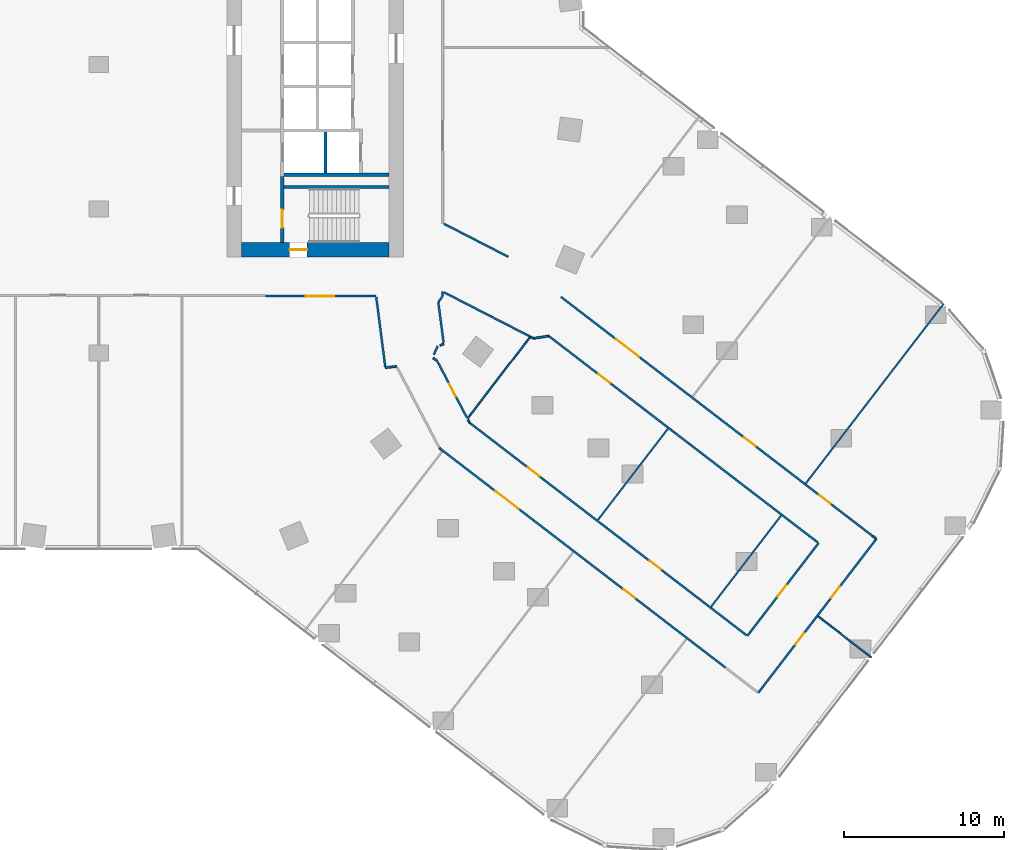
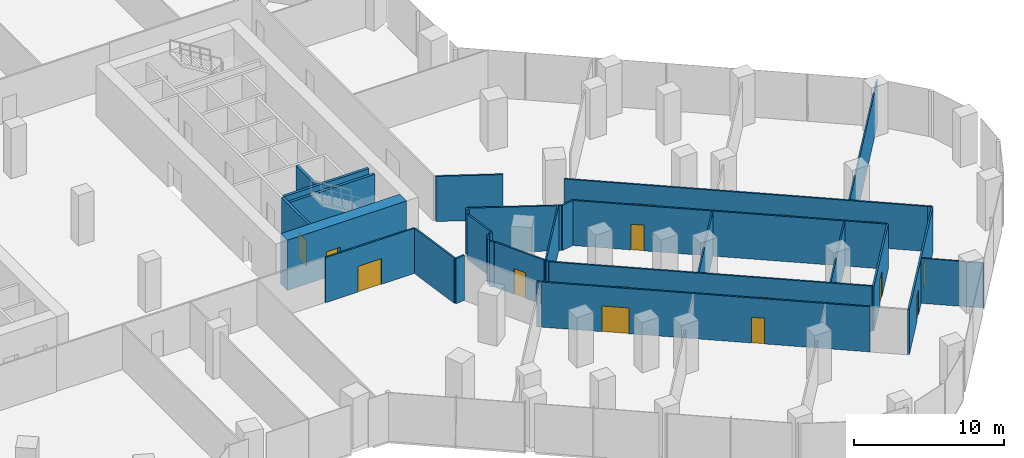
# One storey, part 25 of 29: 33 walls, 15 doors, 15 openings.
"""IFC4 building model written with IfcOpenShell, lengths in metres."""

from ifc_helpers import new_model, si_unit, direction, frame, frame_2d, origin, place, context, subcontext, project, spatial, rectangle, extrude, material, layer, layer_set, type_object, element, fill, save


model = new_model("IFC4")

# Units and contexts
model_context = context("Model", 3, precision=1e-05, world=origin(), true_north=direction((0.0, 1.0)))
body_context = subcontext(model_context, "Body", "Model", "MODEL_VIEW")
ifc_project = project(units=[si_unit("LENGTHUNIT", "METRE"), si_unit("AREAUNIT", "SQUARE_METRE"), si_unit("VOLUMEUNIT", "CUBIC_METRE"), si_unit("PLANEANGLEUNIT", "RADIAN"), si_unit("MASSUNIT", "GRAM", prefix="KILO")], contexts=[model_context])

# Site, building, storey
site_placement = place(None, origin())
site = spatial("IfcSite", under=ifc_project, at=site_placement, CompositionType="ELEMENT")
building_placement = place(site_placement, origin())
building = spatial("IfcBuilding", under=site, at=building_placement, Name="Orlundy Tower", CompositionType="ELEMENT")
storey_placement = place(building_placement, frame((0.0, 0.0, 25.10009765625)))
storey = spatial("IfcBuildingStorey", under=building, at=storey_placement, Name="L04", CompositionType="ELEMENT", Elevation=25.10009765625)

# Wall, opening, door
ifc_material_1 = material(Name="Concrete C80/95", Category="concrete")
ifc_layer_1 = layer(ifc_material_1, 0.89990234375)
ifc_layer_set_1 = layer_set([ifc_layer_1], Name="CORE WALL 900 C80/95")
wall_type_1 = type_object("IfcWallType", Name="CORE WALL 900 C80/95", PredefinedType="SHEAR", material=ifc_layer_set_1)
wall_1_placement = place(storey_placement, frame((8.89990234375, -11.550048828125, 0.0), z_axis=(0.0, 0.0, 1.0), x_axis=(1.0, 0.0, 0.0)))
wall_1 = element("IfcWall", 1, at=wall_1_placement, inside=storey, type_object=wall_type_1, Name="Core wall E-S L04", PredefinedType="SHEAR", context=body_context, shape_type="SweptSolid", body=[
    extrude(rectangle(XDim=9.2001953125, YDim=0.89990234375, at=frame_2d((4.60009765625, 0.0))), origin(), (0.0, 0.0, 1.0), 4.099853515625),
])
opening_1_placement = place(wall_1_placement, frame((3.0, 0.0, 0.0)))
opening_1 = element("IfcOpeningElement", 2, at=opening_1_placement, cuts=wall_1, Name="Opening 05061", PredefinedType="OPENING", context=body_context, shape_type="SweptSolid", body=[
    extrude(rectangle(XDim=1.10009765625, YDim=2.10009765625, at=frame_2d((0.550048828125, 1.050048828125))), frame((0.0, 0.4599609375, 0.0), z_axis=(0.0, -1.0, 0.0), x_axis=(1.0, 0.0, 0.0)), (0.0, 0.0, 1.0), 0.919921875),
])
ifc_material_2 = material(Name="Steel door set", Category="steel")
door_type_1 = type_object("IfcDoorType", Name="Stair Door 1100x2100", OperationType="SINGLE_SWING_LEFT", PredefinedType="DOOR", material=ifc_material_2)
door_1_placement = place(opening_1_placement, origin())
door_1 = element("IfcDoor", 3, at=door_1_placement, inside=storey, type_object=door_type_1, Name="Stair door 05061", OperationType="SINGLE_SWING_LEFT", OverallHeight=2.10009765625, OverallWidth=1.10009765625, PredefinedType="DOOR", context=body_context, shape_type="SweptSolid", body=[
    extrude(rectangle(XDim=1.10009765625, YDim=2.10009765625, at=frame_2d((0.550048828125, 1.050048828125))), frame((0.0, 0.02490234375, 0.0), z_axis=(0.0, -1.0, 0.0), x_axis=(1.0, 0.0, 0.0)), (0.0, 0.0, 1.0), 0.050048828125),
])
fill(opening_1, door_1)

# Walls
ifc_material_3 = material(Name="Gypsum board partition")
ifc_layer_2 = layer(ifc_material_3, 0.10009765625)
ifc_layer_set_2 = layer_set([ifc_layer_2], Name="Floor partition 100")
wall_type_2 = type_object("IfcWallType", Name="Floor partition 100", PredefinedType="PARTITIONING", material=ifc_layer_set_2)
wall_2_placement = place(storey_placement, frame((44.875, -34.43310546875, 0.0), z_axis=(0.0, 0.0, 1.0), x_axis=(0.793295570217, -0.60883670904, 0.0)))
element("IfcWall", 4, at=wall_2_placement, inside=storey, type_object=wall_type_2, Name="wall-int-L04-029", PredefinedType="PARTITIONING", context=body_context, shape_type="SweptSolid", body=[
    extrude(rectangle(XDim=4.186279296875, YDim=0.10009765625, at=frame_2d((2.09326171875, 0.0))), origin(), (0.0, 0.0, 1.0), 3.679931640625),
])
wall_3_placement = place(storey_placement, frame((38.197998046875, -33.8310546875, 0.0), z_axis=(0.0, 0.0, 1.0), x_axis=(0.60875801413, 0.793355960608, 0.0)))
element("IfcWall", 5, at=wall_3_placement, inside=storey, type_object=wall_type_2, Name="wall-int-L04-074", PredefinedType="PARTITIONING", context=body_context, shape_type="SweptSolid", body=[
    extrude(rectangle(XDim=7.173583984375, YDim=0.10009765625, at=frame_2d((3.5869140625, 0.0))), origin(), (0.0, 0.0, 1.0), 3.679931640625),
])
wall_4_placement = place(storey_placement, frame((44.10302734375, -26.135986328125, 0.0), z_axis=(0.0, 0.0, 1.0), x_axis=(0.608732079898, 0.793375859793, 0.0)))
element("IfcWall", 6, at=wall_4_placement, inside=storey, type_object=wall_type_2, Name="wall-int-L04-075", PredefinedType="PARTITIONING", context=body_context, shape_type="SweptSolid", body=[
    extrude(rectangle(XDim=14.135986328125, YDim=0.10009765625, at=frame_2d((7.06787109375, 0.0))), origin(), (0.0, 0.0, 1.0), 3.679931640625),
])
wall_5_placement = place(storey_placement, frame((31.136962890625, -28.4130859375, 0.0), z_axis=(0.0, 0.0, 1.0), x_axis=(0.608843688194, 0.793290213822, 0.0)))
element("IfcWall", 7, at=wall_5_placement, inside=storey, type_object=wall_type_2, Name="wall-int-L04-077", PredefinedType="PARTITIONING", context=body_context, shape_type="SweptSolid", body=[
    extrude(rectangle(XDim=7.174072265625, YDim=0.10009765625, at=frame_2d((3.5869140625, 0.0))), origin(), (0.0, 0.0, 1.0), 3.679931640625),
])
wall_6_placement = place(storey_placement, frame((22.9970703125, -22.092041015625, 0.0), z_axis=(0.0, 0.0, 1.0), x_axis=(0.608732859409, 0.793375261699, 0.0)))
element("IfcWall", 8, at=wall_6_placement, inside=storey, type_object=wall_type_2, Name="wall-int-L04-080", PredefinedType="PARTITIONING", context=body_context, shape_type="SweptSolid", body=[
    extrude(rectangle(XDim=6.44580078125, YDim=0.10009765625, at=frame_2d((3.222900390625, 0.0))), origin(), (0.0, 0.0, 1.0), 3.679931640625),
])
ifc_material_4 = material(Name="Gypsum board partition, double layer")
ifc_layer_3 = layer(ifc_material_4, 0.125)
ifc_layer_set_3 = layer_set([ifc_layer_3], Name="Floor partition 125")
wall_type_3 = type_object("IfcWallType", Name="Floor partition 125", PredefinedType="PARTITIONING", material=ifc_layer_set_3)
wall_7_placement = place(storey_placement, frame((17.31005859375, -14.512939453125, 0.0), z_axis=(0.0, 0.0, 1.0), x_axis=(0.127967803782, -0.991778322608, 0.0)))
element("IfcWall", 9, at=wall_7_placement, inside=storey, type_object=wall_type_3, Name="wall-int-L04-004", PredefinedType="PARTITIONING", context=body_context, shape_type="SweptSolid", body=[
    extrude(rectangle(XDim=4.38427734375, YDim=0.125, at=frame_2d((2.192138671875, 0.0))), origin(), (0.0, 0.0, 1.0), 3.679931640625),
])
wall_8_placement = place(storey_placement, frame((21.181884765625, -14.825927734375, 0.0), z_axis=(0.0, 0.0, 1.0), x_axis=(0.128335992274, -0.991730746265, 0.0)))
element("IfcWall", 10, at=wall_8_placement, inside=storey, type_object=wall_type_3, Name="wall-int-L04-005", PredefinedType="PARTITIONING", context=body_context, shape_type="SweptSolid", body=[
    extrude(rectangle(XDim=2.549072265625, YDim=0.125, at=frame_2d((1.2744140625, 0.0))), origin(), (0.0, 0.0, 1.0), 3.679931640625),
])
wall_9_placement = place(storey_placement, frame((23.035888671875, -22.1669921875, 0.0), z_axis=(0.0, 0.0, 1.0), x_axis=(0.465065214543, -0.885276423623, 0.0)))
element("IfcWall", 11, at=wall_9_placement, inside=storey, type_object=wall_type_3, Name="wall-int-L04-007", PredefinedType="PARTITIONING", context=body_context, shape_type="SweptSolid", body=[
    extrude(rectangle(XDim=0.206787109375, YDim=0.125, at=frame_2d((0.103515625, 0.0))), origin(), (0.0, 0.0, 1.0), 3.679931640625),
])

# Wall, opening, door
wall_10_placement = place(storey_placement, frame((21.139892578125, -18.552001953125, 0.0), z_axis=(0.0, 0.0, 1.0), x_axis=(0.464519693812, -0.885562789451, 0.0)))
wall_10 = element("IfcWall", 12, at=wall_10_placement, inside=storey, type_object=wall_type_3, Name="wall-int-L04-009", PredefinedType="PARTITIONING", context=body_context, shape_type="SweptSolid", body=[
    extrude(rectangle(XDim=3.9140625, YDim=0.125, at=frame_2d((1.95703125, 0.0))), origin(), (0.0, 0.0, 1.0), 3.679931640625),
])
opening_2_placement = place(wall_10_placement, frame((1.53759765625, 0.0, 0.0)))
opening_2 = element("IfcOpeningElement", 13, at=opening_2_placement, cuts=wall_10, Name="Opening 05128", PredefinedType="OPENING", context=body_context, shape_type="SweptSolid", body=[
    extrude(rectangle(XDim=0.89990234375, YDim=2.10009765625, at=frame_2d((0.449951171875, 1.050048828125))), frame((0.0, 0.072509765625, 0.0), z_axis=(0.0, -1.0, 0.0), x_axis=(1.0, 0.0, 0.0)), (0.0, 0.0, 1.0), 0.14501953125),
])
ifc_material_5 = material(Name="Timber door leaf", Category="wood")
door_type_2 = type_object("IfcDoorType", Name="Floor door single 900 FD30S", OperationType="NOTDEFINED", PredefinedType="DOOR", material=ifc_material_5)
door_2_placement = place(opening_2_placement, origin())
door_2 = element("IfcDoor", 14, at=door_2_placement, inside=storey, type_object=door_type_2, Name="Door 05128", OperationType="SINGLE_SWING_RIGHT", OverallHeight=2.10009765625, OverallWidth=0.89990234375, PredefinedType="DOOR", context=body_context, shape_type="SweptSolid", body=[
    extrude(rectangle(XDim=0.89990234375, YDim=2.10009765625, at=frame_2d((0.449951171875, 1.050048828125))), frame((0.0, 0.02490234375, 0.0), z_axis=(0.0, -1.0, 0.0), x_axis=(1.0, 0.0, 0.0)), (0.0, 0.0, 1.0), 0.050048828125),
])
fill(opening_2, door_2)

# Wall
wall_11_placement = place(storey_placement, frame((48.27001953125, -29.412109375, 0.0), z_axis=(0.0, 0.0, 1.0), x_axis=(0.793016893484, -0.609199644328, 0.0)))
element("IfcWall", 15, at=wall_11_placement, inside=storey, type_object=wall_type_3, Name="wall-int-L04-025", PredefinedType="PARTITIONING", context=body_context, shape_type="SweptSolid", body=[
    extrude(rectangle(XDim=0.300048828125, YDim=0.125, at=frame_2d((0.14990234375, 0.0))), origin(), (0.0, 0.0, 1.0), 3.679931640625),
])

# Wall, openings, doors
wall_12_placement = place(storey_placement, frame((39.090087890625, -37.6201171875, 0.0), z_axis=(0.0, 0.0, 1.0), x_axis=(-0.793364364442, 0.608747061786, 0.0)))
wall_12 = element("IfcWall", 16, at=wall_12_placement, inside=storey, type_object=wall_type_3, Name="wall-int-L04-026", PredefinedType="PARTITIONING", context=body_context, shape_type="SweptSolid", body=[
    extrude(rectangle(XDim=22.170166015625, YDim=0.125, at=frame_2d((11.0849609375, 0.0))), origin(), (0.0, 0.0, 1.0), 3.679931640625),
])
opening_3_placement = place(wall_12_placement, frame((16.26318359375, 0.0, 0.0)))
opening_3 = element("IfcOpeningElement", 17, at=opening_3_placement, cuts=wall_12, Name="Opening 05109", PredefinedType="OPENING", context=body_context, shape_type="SweptSolid", body=[
    extrude(rectangle(XDim=1.800048828125, YDim=2.10009765625, at=frame_2d((0.89990234375, 1.050048828125))), frame((0.0, 0.072509765625, 0.0), z_axis=(0.0, -1.0, 0.0), x_axis=(1.0, 0.0, 0.0)), (0.0, 0.0, 1.0), 0.14501953125),
])
opening_4_placement = place(wall_12_placement, frame((7.11279296875, 0.0, 0.0)))
opening_4 = element("IfcOpeningElement", 18, at=opening_4_placement, cuts=wall_12, Name="Opening 05110", PredefinedType="OPENING", context=body_context, shape_type="SweptSolid", body=[
    extrude(rectangle(XDim=0.89990234375, YDim=2.10009765625, at=frame_2d((0.449951171875, 1.050048828125))), frame((0.0, 0.072509765625, 0.0), z_axis=(0.0, -1.0, 0.0), x_axis=(1.0, 0.0, 0.0)), (0.0, 0.0, 1.0), 0.14501953125),
])
ifc_material_6 = material(Name="Timber door leaf", Category="wood")
door_type_3 = type_object("IfcDoorType", Name="Floor door double 1800 FD30S", OperationType="NOTDEFINED", PredefinedType="DOOR", material=ifc_material_6)
door_3_placement = place(opening_3_placement, origin())
door_3 = element("IfcDoor", 19, at=door_3_placement, inside=storey, type_object=door_type_3, Name="Door 05109", OperationType="DOUBLE_DOOR_SINGLE_SWING", OverallHeight=2.10009765625, OverallWidth=1.800048828125, PredefinedType="DOOR", context=body_context, shape_type="SweptSolid", body=[
    extrude(rectangle(XDim=1.800048828125, YDim=2.10009765625, at=frame_2d((0.89990234375, 1.050048828125))), frame((0.0, 0.02490234375, 0.0), z_axis=(0.0, -1.0, 0.0), x_axis=(1.0, 0.0, 0.0)), (0.0, 0.0, 1.0), 0.050048828125),
])
fill(opening_3, door_3)
door_4_placement = place(opening_4_placement, origin())
door_4 = element("IfcDoor", 20, at=door_4_placement, inside=storey, type_object=door_type_2, Name="Door 05110", OperationType="SINGLE_SWING_LEFT", OverallHeight=2.10009765625, OverallWidth=0.89990234375, PredefinedType="DOOR", context=body_context, shape_type="SweptSolid", body=[
    extrude(rectangle(XDim=0.89990234375, YDim=2.10009765625, at=frame_2d((0.449951171875, 1.050048828125))), frame((0.0, 0.02490234375, 0.0), z_axis=(0.0, -1.0, 0.0), x_axis=(1.0, 0.0, 0.0)), (0.0, 0.0, 1.0), 0.050048828125),
])
fill(opening_4, door_4)

wall_13_placement = place(storey_placement, frame((23.132080078125, -22.35009765625, 0.0), z_axis=(0.0, 0.0, 1.0), x_axis=(0.79336850047, -0.60874167137, 0.0)))
wall_13 = element("IfcWall", 21, at=wall_13_placement, inside=storey, type_object=wall_type_3, Name="wall-int-L04-028", PredefinedType="PARTITIONING", context=body_context, shape_type="SweptSolid", body=[
    extrude(rectangle(XDim=21.779052734375, YDim=0.125, at=frame_2d((10.8896484375, 0.0))), origin(), (0.0, 0.0, 1.0), 3.679931640625),
])
opening_5_placement = place(wall_13_placement, frame((4.60009765625, 0.0, 0.0)))
opening_5 = element("IfcOpeningElement", 22, at=opening_5_placement, cuts=wall_13, Name="Opening 05102", PredefinedType="OPENING", context=body_context, shape_type="SweptSolid", body=[
    extrude(rectangle(XDim=0.89990234375, YDim=2.10009765625, at=frame_2d((0.449951171875, 1.050048828125))), frame((0.0, 0.072509765625, 0.0), z_axis=(0.0, -1.0, 0.0), x_axis=(1.0, 0.0, 0.0)), (0.0, 0.0, 1.0), 0.14501953125),
])
opening_6_placement = place(wall_13_placement, frame((14.14208984375, 0.0, 0.0)))
opening_6 = element("IfcOpeningElement", 23, at=opening_6_placement, cuts=wall_13, Name="Opening 05104", PredefinedType="OPENING", context=body_context, shape_type="SweptSolid", body=[
    extrude(rectangle(XDim=0.89990234375, YDim=2.10009765625, at=frame_2d((0.449951171875, 1.050048828125))), frame((0.0, 0.072509765625, 0.0), z_axis=(0.0, -1.0, 0.0), x_axis=(1.0, 0.0, 0.0)), (0.0, 0.0, 1.0), 0.14501953125),
])
door_5_placement = place(opening_5_placement, origin())
door_5 = element("IfcDoor", 24, at=door_5_placement, inside=storey, type_object=door_type_2, Name="Door 05102", OperationType="SINGLE_SWING_LEFT", OverallHeight=2.10009765625, OverallWidth=0.89990234375, PredefinedType="DOOR", context=body_context, shape_type="SweptSolid", body=[
    extrude(rectangle(XDim=0.89990234375, YDim=2.10009765625, at=frame_2d((0.449951171875, 1.050048828125))), frame((0.0, 0.02490234375, 0.0), z_axis=(0.0, -1.0, 0.0), x_axis=(1.0, 0.0, 0.0)), (0.0, 0.0, 1.0), 0.050048828125),
])
fill(opening_5, door_5)
door_6_placement = place(opening_6_placement, origin())
door_6 = element("IfcDoor", 25, at=door_6_placement, inside=storey, type_object=door_type_2, Name="Door 05104", OperationType="SINGLE_SWING_RIGHT", OverallHeight=2.10009765625, OverallWidth=0.89990234375, PredefinedType="DOOR", context=body_context, shape_type="SweptSolid", body=[
    extrude(rectangle(XDim=0.89990234375, YDim=2.10009765625, at=frame_2d((0.449951171875, 1.050048828125))), frame((0.0, 0.02490234375, 0.0), z_axis=(0.0, -1.0, 0.0), x_axis=(1.0, 0.0, 0.0)), (0.0, 0.0, 1.0), 0.050048828125),
])
fill(opening_6, door_6)

# Wall, opening, door
wall_14_placement = place(storey_placement, frame((44.85498046875, -29.81689453125, 0.0), z_axis=(0.0, 0.0, 1.0), x_axis=(-0.793378264443, 0.608728945844, 0.0)))
wall_14 = element("IfcWall", 26, at=wall_14_placement, inside=storey, type_object=wall_type_3, Name="wall-int-L04-030", PredefinedType="PARTITIONING", context=body_context, shape_type="SweptSolid", body=[
    extrude(rectangle(XDim=21.16015625, YDim=0.125, at=frame_2d((10.580078125, 0.0))), origin(), (0.0, 0.0, 1.0), 3.679931640625),
])
opening_7_placement = place(wall_14_placement, frame((16.3369140625, 0.0, 0.0)))
opening_7 = element("IfcOpeningElement", 27, at=opening_7_placement, cuts=wall_14, Name="Opening 05103", PredefinedType="OPENING", context=body_context, shape_type="SweptSolid", body=[
    extrude(rectangle(XDim=0.89990234375, YDim=2.10009765625, at=frame_2d((0.449951171875, 1.050048828125))), frame((0.0, 0.072509765625, 0.0), z_axis=(0.0, -1.0, 0.0), x_axis=(1.0, 0.0, 0.0)), (0.0, 0.0, 1.0), 0.14501953125),
])
door_7_placement = place(opening_7_placement, origin())
door_7 = element("IfcDoor", 28, at=door_7_placement, inside=storey, type_object=door_type_2, Name="Door 05103", OperationType="SINGLE_SWING_RIGHT", OverallHeight=2.10009765625, OverallWidth=0.89990234375, PredefinedType="DOOR", context=body_context, shape_type="SweptSolid", body=[
    extrude(rectangle(XDim=0.89990234375, YDim=2.10009765625, at=frame_2d((0.449951171875, 1.050048828125))), frame((0.0, 0.02490234375, 0.0), z_axis=(0.0, -1.0, 0.0), x_axis=(1.0, 0.0, 0.0)), (0.0, 0.0, 1.0), 0.050048828125),
])
fill(opening_7, door_7)

# Wall, openings, doors
wall_15_placement = place(storey_placement, frame((28.826904296875, -14.492919921875, 0.0), z_axis=(0.0, 0.0, 1.0), x_axis=(0.793315591759, -0.608810620695, 0.0)))
wall_15 = element("IfcWall", 29, at=wall_15_placement, inside=storey, type_object=wall_type_3, Name="wall-int-L04-031", PredefinedType="PARTITIONING", context=body_context, shape_type="SweptSolid", body=[
    extrude(rectangle(XDim=24.5087890625, YDim=0.125, at=frame_2d((12.25439453125, 0.0))), origin(), (0.0, 0.0, 1.0), 3.679931640625),
])
opening_8_placement = place(wall_15_placement, frame((4.35009765625, 0.0, 0.0)))
opening_8 = element("IfcOpeningElement", 30, at=opening_8_placement, cuts=wall_15, Name="Opening 05100", PredefinedType="OPENING", context=body_context, shape_type="SweptSolid", body=[
    extrude(rectangle(XDim=1.800048828125, YDim=2.10009765625, at=frame_2d((0.89990234375, 1.050048828125))), frame((0.0, 0.072509765625, 0.0), z_axis=(0.0, -1.0, 0.0), x_axis=(1.0, 0.0, 0.0)), (0.0, 0.0, 1.0), 0.14501953125),
])
opening_9_placement = place(wall_15_placement, frame((14.4072265625, 0.0, 0.0)))
opening_9 = element("IfcOpeningElement", 31, at=opening_9_placement, cuts=wall_15, Name="Opening 05101", PredefinedType="OPENING", context=body_context, shape_type="SweptSolid", body=[
    extrude(rectangle(XDim=0.89990234375, YDim=2.10009765625, at=frame_2d((0.449951171875, 1.050048828125))), frame((0.0, 0.072509765625, 0.0), z_axis=(0.0, -1.0, 0.0), x_axis=(1.0, 0.0, 0.0)), (0.0, 0.0, 1.0), 0.14501953125),
])
opening_10_placement = place(wall_15_placement, frame((20.307373046875, 0.0, 0.0)))
opening_10 = element("IfcOpeningElement", 32, at=opening_10_placement, cuts=wall_15, Name="Opening 05107", PredefinedType="OPENING", context=body_context, shape_type="SweptSolid", body=[
    extrude(rectangle(XDim=0.89990234375, YDim=2.10009765625, at=frame_2d((0.449951171875, 1.050048828125))), frame((0.0, 0.072509765625, 0.0), z_axis=(0.0, -1.0, 0.0), x_axis=(1.0, 0.0, 0.0)), (0.0, 0.0, 1.0), 0.14501953125),
])
door_8_placement = place(opening_8_placement, origin())
door_8 = element("IfcDoor", 33, at=door_8_placement, inside=storey, type_object=door_type_3, Name="Door 05100", OperationType="DOUBLE_DOOR_SINGLE_SWING", OverallHeight=2.10009765625, OverallWidth=1.800048828125, PredefinedType="DOOR", context=body_context, shape_type="SweptSolid", body=[
    extrude(rectangle(XDim=1.800048828125, YDim=2.10009765625, at=frame_2d((0.89990234375, 1.050048828125))), frame((0.0, 0.02490234375, 0.0), z_axis=(0.0, -1.0, 0.0), x_axis=(1.0, 0.0, 0.0)), (0.0, 0.0, 1.0), 0.050048828125),
])
fill(opening_8, door_8)
door_9_placement = place(opening_9_placement, origin())
door_9 = element("IfcDoor", 34, at=door_9_placement, inside=storey, type_object=door_type_2, Name="Door 05101", OperationType="SINGLE_SWING_RIGHT", OverallHeight=2.10009765625, OverallWidth=0.89990234375, PredefinedType="DOOR", context=body_context, shape_type="SweptSolid", body=[
    extrude(rectangle(XDim=0.89990234375, YDim=2.10009765625, at=frame_2d((0.449951171875, 1.050048828125))), frame((0.0, 0.02490234375, 0.0), z_axis=(0.0, -1.0, 0.0), x_axis=(1.0, 0.0, 0.0)), (0.0, 0.0, 1.0), 0.050048828125),
])
fill(opening_9, door_9)
door_10_placement = place(opening_10_placement, origin())
door_10 = element("IfcDoor", 35, at=door_10_placement, inside=storey, type_object=door_type_2, Name="Door 05107", OperationType="SINGLE_SWING_RIGHT", OverallHeight=2.10009765625, OverallWidth=0.89990234375, PredefinedType="DOOR", context=body_context, shape_type="SweptSolid", body=[
    extrude(rectangle(XDim=0.89990234375, YDim=2.10009765625, at=frame_2d((0.449951171875, 1.050048828125))), frame((0.0, 0.02490234375, 0.0), z_axis=(0.0, -1.0, 0.0), x_axis=(1.0, 0.0, 0.0)), (0.0, 0.0, 1.0), 0.050048828125),
])
fill(opening_10, door_10)

# Walls
wall_16_placement = place(storey_placement, frame((21.2509765625, -23.93310546875, 0.0), z_axis=(0.0, 0.0, 1.0), x_axis=(0.795537882178, -0.605903852124, 0.0)))
element("IfcWall", 36, at=wall_16_placement, inside=storey, type_object=wall_type_3, Name="wall-int-L04-032", PredefinedType="PARTITIONING", context=body_context, shape_type="SweptSolid", body=[
    extrude(rectangle(XDim=0.263916015625, YDim=0.125, at=frame_2d((0.1318359375, 0.0))), origin(), (0.0, 0.0, 1.0), 3.679931640625),
])
wall_17_placement = place(storey_placement, frame((20.85791015625, -18.305908203125, 0.0), z_axis=(0.0, 0.0, 1.0), x_axis=(0.798056474533, -0.602582661098, 0.0)))
element("IfcWall", 37, at=wall_17_placement, inside=storey, type_object=wall_type_3, Name="wall-int-L04-033", PredefinedType="PARTITIONING", context=body_context, shape_type="SweptSolid", body=[
    extrude(rectangle(XDim=0.317138671875, YDim=0.125, at=frame_2d((0.15869140625, 0.0))), origin(), (0.0, 0.0, 1.0), 3.679931640625),
])
wall_18_placement = place(storey_placement, frame((26.9208984375, -16.97802734375, 0.0), z_axis=(0.0, 0.0, 1.0), x_axis=(0.888809707019, -0.458276450093, 0.0)))
element("IfcWall", 38, at=wall_18_placement, inside=storey, type_object=wall_type_3, Name="wall-int-L04-034", PredefinedType="PARTITIONING", context=body_context, shape_type="SweptSolid", body=[
    extrude(rectangle(XDim=0.237548828125, YDim=0.125, at=frame_2d((0.11865234375, 0.0))), origin(), (0.0, 0.0, 1.0), 3.679931640625),
])
wall_19_placement = place(storey_placement, frame((21.541015625, -14.214111328125, 0.0), z_axis=(0.0, 0.0, 1.0), x_axis=(0.889437525622, -0.457056766732, 0.0)))
element("IfcWall", 39, at=wall_19_placement, inside=storey, type_object=wall_type_3, Name="wall-int-L04-035", PredefinedType="PARTITIONING", context=body_context, shape_type="SweptSolid", body=[
    extrude(rectangle(XDim=5.98583984375, YDim=0.125, at=frame_2d((2.992919921875, 0.0))), origin(), (0.0, 0.0, 1.0), 3.679931640625),
])
wall_20_placement = place(storey_placement, frame((21.541015625, -9.93994140625, 0.0), z_axis=(0.0, 0.0, 1.0), x_axis=(0.889443846495, -0.457044466033, 0.0)))
element("IfcWall", 40, at=wall_20_placement, inside=storey, type_object=wall_type_3, Name="wall-int-L04-036", PredefinedType="PARTITIONING", context=body_context, shape_type="SweptSolid", body=[
    extrude(rectangle(XDim=4.50732421875, YDim=0.125, at=frame_2d((2.253662109375, 0.0))), origin(), (0.0, 0.0, 1.0), 3.679931640625),
])

# Wall, opening, door
wall_21_placement = place(storey_placement, frame((17.302001953125, -14.450927734375, 0.0), z_axis=(0.0, 0.0, 1.0), x_axis=(-1.0, 0.0, 0.0)))
wall_21 = element("IfcWall", 41, at=wall_21_placement, inside=storey, type_object=wall_type_3, Name="wall-int-L04-039", PredefinedType="PARTITIONING", context=body_context, shape_type="SweptSolid", body=[
    extrude(rectangle(XDim=6.910888671875, YDim=0.125, at=frame_2d((3.45556640625, 0.0))), origin(), (0.0, 0.0, 1.0), 3.679931640625),
])
opening_11_placement = place(wall_21_placement, frame((2.60009765625, 0.0, 0.0)))
opening_11 = element("IfcOpeningElement", 42, at=opening_11_placement, cuts=wall_21, Name="Opening 05127", PredefinedType="OPENING", context=body_context, shape_type="SweptSolid", body=[
    extrude(rectangle(XDim=1.800048828125, YDim=2.10009765625, at=frame_2d((0.89990234375, 1.050048828125))), frame((0.0, 0.072509765625, 0.0), z_axis=(0.0, -1.0, 0.0), x_axis=(1.0, 0.0, 0.0)), (0.0, 0.0, 1.0), 0.14501953125),
])
door_11_placement = place(opening_11_placement, origin())
door_11 = element("IfcDoor", 43, at=door_11_placement, inside=storey, type_object=door_type_3, Name="Door 05127", OperationType="DOUBLE_DOOR_SINGLE_SWING", OverallHeight=2.10009765625, OverallWidth=1.800048828125, PredefinedType="DOOR", context=body_context, shape_type="SweptSolid", body=[
    extrude(rectangle(XDim=1.800048828125, YDim=2.10009765625, at=frame_2d((0.89990234375, 1.050048828125))), frame((0.0, 0.02490234375, 0.0), z_axis=(0.0, -1.0, 0.0), x_axis=(1.0, 0.0, 0.0)), (0.0, 0.0, 1.0), 0.050048828125),
])
fill(opening_11, door_11)

# Walls
wall_22_placement = place(storey_placement, frame((21.181884765625, -14.825927734375, 0.0), z_axis=(0.0, 0.0, 1.0), x_axis=(0.581538757464, 0.813518698966, 0.0)))
element("IfcWall", 44, at=wall_22_placement, inside=storey, type_object=wall_type_3, Name="wall-int-L04-040", PredefinedType="PARTITIONING", context=body_context, shape_type="SweptSolid", body=[
    extrude(rectangle(XDim=0.4609375, YDim=0.125, at=frame_2d((0.23046875, 0.0))), origin(), (0.0, 0.0, 1.0), 3.679931640625),
])
wall_23_placement = place(storey_placement, frame((17.8798828125, -18.91796875, 0.0), z_axis=(0.0, 0.0, 1.0), x_axis=(0.991880534709, 0.127173129494, 0.0)))
element("IfcWall", 45, at=wall_23_placement, inside=storey, type_object=wall_type_3, Name="wall-int-L04-051", PredefinedType="PARTITIONING", context=body_context, shape_type="SweptSolid", body=[
    extrude(rectangle(XDim=0.69873046875, YDim=0.125, at=frame_2d((0.349365234375, 0.0))), origin(), (0.0, 0.0, 1.0), 3.679931640625),
])
wall_24_placement = place(storey_placement, frame((21.281005859375, -17.51904296875, 0.0), z_axis=(0.0, 0.0, 1.0), x_axis=(0.939031864477, 0.343830128839, 0.0)))
element("IfcWall", 46, at=wall_24_placement, inside=storey, type_object=wall_type_3, Name="wall-int-L04-055", PredefinedType="PARTITIONING", context=body_context, shape_type="SweptSolid", body=[
    extrude(rectangle(XDim=0.25341796875, YDim=0.125, at=frame_2d((0.126708984375, 0.0))), origin(), (0.0, 0.0, 1.0), 3.679931640625),
])

# Wall, openings, doors
wall_25_placement = place(storey_placement, frame((48.508056640625, -29.594970703125, 0.0), z_axis=(0.0, 0.0, 1.0), x_axis=(-0.608738166201, -0.793371189929, 0.0)))
wall_25 = element("IfcWall", 47, at=wall_25_placement, inside=storey, type_object=wall_type_3, Name="wall-int-L04-071", PredefinedType="PARTITIONING", context=body_context, shape_type="SweptSolid", body=[
    extrude(rectangle(XDim=12.100341796875, YDim=0.125, at=frame_2d((6.05029296875, 0.0))), origin(), (0.0, 0.0, 1.0), 3.679931640625),
])
opening_12_placement = place(wall_25_placement, frame((7.400146484375, 0.0, 0.0)))
opening_12 = element("IfcOpeningElement", 48, at=opening_12_placement, cuts=wall_25, Name="Opening 05106", PredefinedType="OPENING", context=body_context, shape_type="SweptSolid", body=[
    extrude(rectangle(XDim=0.89990234375, YDim=2.10009765625, at=frame_2d((0.449951171875, 1.050048828125))), frame((0.0, 0.072509765625, 0.0), z_axis=(0.0, -1.0, 0.0), x_axis=(1.0, 0.0, 0.0)), (0.0, 0.0, 1.0), 0.14501953125),
])
opening_13_placement = place(wall_25_placement, frame((3.75, 0.0, 0.0)))
opening_13 = element("IfcOpeningElement", 49, at=opening_13_placement, cuts=wall_25, Name="Opening 05108", PredefinedType="OPENING", context=body_context, shape_type="SweptSolid", body=[
    extrude(rectangle(XDim=0.89990234375, YDim=2.10009765625, at=frame_2d((0.449951171875, 1.050048828125))), frame((0.0, 0.072509765625, 0.0), z_axis=(0.0, -1.0, 0.0), x_axis=(1.0, 0.0, 0.0)), (0.0, 0.0, 1.0), 0.14501953125),
])
door_12_placement = place(opening_12_placement, origin())
door_12 = element("IfcDoor", 50, at=door_12_placement, inside=storey, type_object=door_type_2, Name="Door 05106", OperationType="SINGLE_SWING_RIGHT", OverallHeight=2.10009765625, OverallWidth=0.89990234375, PredefinedType="DOOR", context=body_context, shape_type="SweptSolid", body=[
    extrude(rectangle(XDim=0.89990234375, YDim=2.10009765625, at=frame_2d((0.449951171875, 1.050048828125))), frame((0.0, 0.02490234375, 0.0), z_axis=(0.0, -1.0, 0.0), x_axis=(1.0, 0.0, 0.0)), (0.0, 0.0, 1.0), 0.050048828125),
])
fill(opening_12, door_12)
door_13_placement = place(opening_13_placement, origin())
door_13 = element("IfcDoor", 51, at=door_13_placement, inside=storey, type_object=door_type_2, Name="Door 05108", OperationType="SINGLE_SWING_LEFT", OverallHeight=2.10009765625, OverallWidth=0.89990234375, PredefinedType="DOOR", context=body_context, shape_type="SweptSolid", body=[
    extrude(rectangle(XDim=0.89990234375, YDim=2.10009765625, at=frame_2d((0.449951171875, 1.050048828125))), frame((0.0, 0.02490234375, 0.0), z_axis=(0.0, -1.0, 0.0), x_axis=(1.0, 0.0, 0.0)), (0.0, 0.0, 1.0), 0.050048828125),
])
fill(opening_13, door_13)

# Wall, opening, door
wall_26_placement = place(storey_placement, frame((40.4599609375, -35.64599609375, 0.0), z_axis=(0.0, 0.0, 1.0), x_axis=(0.608868228501, 0.793271378736, 0.0)))
wall_26 = element("IfcWall", 52, at=wall_26_placement, inside=storey, type_object=wall_type_3, Name="wall-int-L04-072", PredefinedType="PARTITIONING", context=body_context, shape_type="SweptSolid", body=[
    extrude(rectangle(XDim=7.298828125, YDim=0.125, at=frame_2d((3.6494140625, 0.0))), origin(), (0.0, 0.0, 1.0), 3.679931640625),
])
opening_14_placement = place(wall_26_placement, frame((3.10009765625, 0.0, 0.0)))
opening_14 = element("IfcOpeningElement", 53, at=opening_14_placement, cuts=wall_26, Name="Opening 05105", PredefinedType="OPENING", context=body_context, shape_type="SweptSolid", body=[
    extrude(rectangle(XDim=0.89990234375, YDim=2.10009765625, at=frame_2d((0.449951171875, 1.050048828125))), frame((0.0, 0.072509765625, 0.0), z_axis=(0.0, -1.0, 0.0), x_axis=(1.0, 0.0, 0.0)), (0.0, 0.0, 1.0), 0.14501953125),
])
door_14_placement = place(opening_14_placement, origin())
door_14 = element("IfcDoor", 54, at=door_14_placement, inside=storey, type_object=door_type_2, Name="Door 05105", OperationType="SINGLE_SWING_LEFT", OverallHeight=2.10009765625, OverallWidth=0.89990234375, PredefinedType="DOOR", context=body_context, shape_type="SweptSolid", body=[
    extrude(rectangle(XDim=0.89990234375, YDim=2.10009765625, at=frame_2d((0.449951171875, 1.050048828125))), frame((0.0, 0.02490234375, 0.0), z_axis=(0.0, -1.0, 0.0), x_axis=(1.0, 0.0, 0.0)), (0.0, 0.0, 1.0), 0.050048828125),
])
fill(opening_14, door_14)

# Walls
wall_27_placement = place(storey_placement, frame((27.132080078125, -17.0869140625, 0.0), z_axis=(0.0, 0.0, 1.0), x_axis=(0.987224118301, 0.159337817997, 0.0)))
element("IfcWall", 55, at=wall_27_placement, inside=storey, type_object=wall_type_3, Name="wall-int-L04-082", PredefinedType="PARTITIONING", context=body_context, shape_type="SweptSolid", body=[
    extrude(rectangle(XDim=0.947021484375, YDim=0.125, at=frame_2d((0.4736328125, 0.0))), origin(), (0.0, 0.0, 1.0), 3.679931640625),
])
wall_28_placement = place(storey_placement, frame((20.89892578125, -18.093994140625, 0.0), z_axis=(0.0, 0.0, 1.0), x_axis=(0.417849700766, 0.908516168029, 0.0)))
element("IfcWall", 56, at=wall_28_placement, inside=storey, type_object=wall_type_3, Name="wall-int-L04-083", PredefinedType="PARTITIONING", context=body_context, shape_type="SweptSolid", body=[
    extrude(rectangle(XDim=0.57666015625, YDim=0.125, at=frame_2d((0.288330078125, 0.0))), origin(), (0.0, 0.0, 1.0), 3.679931640625),
])
wall_29_placement = place(storey_placement, frame((21.449951171875, -14.450927734375, 0.0), z_axis=(0.0, 0.0, 1.0), x_axis=(0.0, 1.0, 0.0)))
element("IfcWall", 57, at=wall_29_placement, inside=storey, type_object=wall_type_3, Name="wall-int-L04-086", PredefinedType="PARTITIONING", context=body_context, shape_type="SweptSolid", body=[
    extrude(rectangle(XDim=0.283935546875, YDim=0.125, at=frame_2d((0.14208984375, 0.0))), origin(), (0.0, 0.0, 1.0), 3.679931640625),
])

# Wall, opening, door
ifc_material_7 = material(Name="Concrete C40/50", Category="concrete")
ifc_layer_4 = layer(ifc_material_7, 0.199951171875)
ifc_layer_set_4 = layer_set([ifc_layer_4], Name="Load-bearing Shaft Wall 200")
wall_type_4 = type_object("IfcWallType", Name="Load-bearing Shaft Wall 200", PredefinedType="SOLIDWALL", material=ifc_layer_set_4)
wall_30_placement = place(storey_placement, frame((11.43994140625, -6.97509765625, 0.0), z_axis=(0.0, 0.0, 1.0), x_axis=(0.0, -1.0, 0.0)))
wall_30 = element("IfcWall", 58, at=wall_30_placement, inside=storey, type_object=wall_type_4, Name="Shaft wall E05-stair-end-n", PredefinedType="SOLIDWALL", context=body_context, shape_type="SweptSolid", body=[
    extrude(rectangle(XDim=4.125, YDim=0.199951171875, at=frame_2d((2.0625, 0.0))), origin(), (0.0, 0.0, 1.0), 3.68994140625),
])
opening_15_placement = place(wall_30_placement, frame((2.10009765625, 0.0, 0.0)))
opening_15 = element("IfcOpeningElement", 59, at=opening_15_placement, cuts=wall_30, Name="Opening 05063", PredefinedType="OPENING", context=body_context, shape_type="SweptSolid", body=[
    extrude(rectangle(XDim=1.10009765625, YDim=2.10009765625, at=frame_2d((0.550048828125, 1.050048828125))), frame((0.0, 0.110107421875, 0.0), z_axis=(0.0, -1.0, 0.0), x_axis=(1.0, 0.0, 0.0)), (0.0, 0.0, 1.0), 0.22021484375),
])
ifc_material_8 = material(Name="Steel door set", Category="steel")
door_type_4 = type_object("IfcDoorType", Name="Fire-fighting Lobby Door 1100x2100", OperationType="SINGLE_SWING_LEFT", PredefinedType="DOOR", material=ifc_material_8)
door_15_placement = place(opening_15_placement, origin())
door_15 = element("IfcDoor", 60, at=door_15_placement, inside=storey, type_object=door_type_4, Name="Fire-fighting lobby to stair door 05063", OperationType="SINGLE_SWING_RIGHT", OverallHeight=2.10009765625, OverallWidth=1.10009765625, PredefinedType="DOOR", context=body_context, shape_type="SweptSolid", body=[
    extrude(rectangle(XDim=1.10009765625, YDim=2.10009765625, at=frame_2d((0.550048828125, 1.050048828125))), frame((0.0, 0.02490234375, 0.0), z_axis=(0.0, -1.0, 0.0), x_axis=(1.0, 0.0, 0.0)), (0.0, 0.0, 1.0), 0.050048828125),
])
fill(opening_15, door_15)

# Walls
wall_31_placement = place(storey_placement, frame((11.5400390625, -7.64990234375, 0.0), z_axis=(0.0, 0.0, 1.0), x_axis=(1.0, 0.0, 0.0)))
element("IfcWall", 61, at=wall_31_placement, inside=storey, type_object=wall_type_4, Name="Shaft wall E05-stair-side-n", PredefinedType="SOLIDWALL", context=body_context, shape_type="SweptSolid", body=[
    extrude(rectangle(XDim=6.56005859375, YDim=0.199951171875, at=frame_2d((3.280029296875, 0.0))), origin(), (0.0, 0.0, 1.0), 3.68994140625),
])
ifc_material_9 = material(Name="Fire-rated blockwork shaft wall", Category="masonry")
ifc_layer_5 = layer(ifc_material_9, 0.199951171875)
ifc_layer_set_5 = layer_set([ifc_layer_5], Name="Shaft Wall 200")
wall_type_5 = type_object("IfcWallType", Name="Shaft Wall 200", PredefinedType="SOLIDWALL", material=ifc_layer_set_5)
wall_32_placement = place(storey_placement, frame((11.5400390625, -6.875, 0.0), z_axis=(0.0, 0.0, 1.0), x_axis=(1.0, 0.0, 0.0)))
element("IfcWall", 62, at=wall_32_placement, inside=storey, type_object=wall_type_5, Name="Shaft wall E05-zone-n", PredefinedType="SOLIDWALL", context=body_context, shape_type="SweptSolid", body=[
    extrude(rectangle(XDim=6.56005859375, YDim=0.199951171875, at=frame_2d((3.280029296875, 0.0))), origin(), (0.0, 0.0, 1.0), 3.68994140625),
])
wall_33_placement = place(storey_placement, frame((14.139892578125, -4.22509765625, 0.0), z_axis=(0.0, 0.0, 1.0), x_axis=(0.0, -1.0, 0.0)))
element("IfcWall", 63, at=wall_33_placement, inside=storey, type_object=wall_type_5, Name="Shaft wall E05-mid-b", PredefinedType="SOLIDWALL", context=body_context, shape_type="SweptSolid", body=[
    extrude(rectangle(XDim=2.5498046875, YDim=0.199951171875, at=frame_2d((1.27490234375, 0.0))), origin(), (0.0, 0.0, 1.0), 3.68994140625),
])

save(model, "model.ifc")
